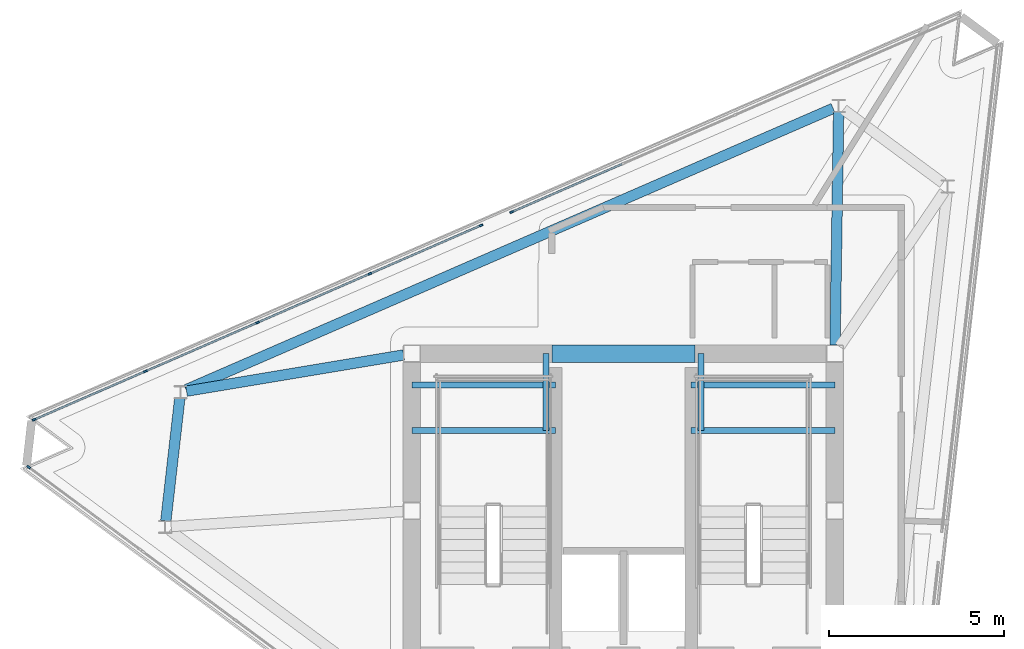
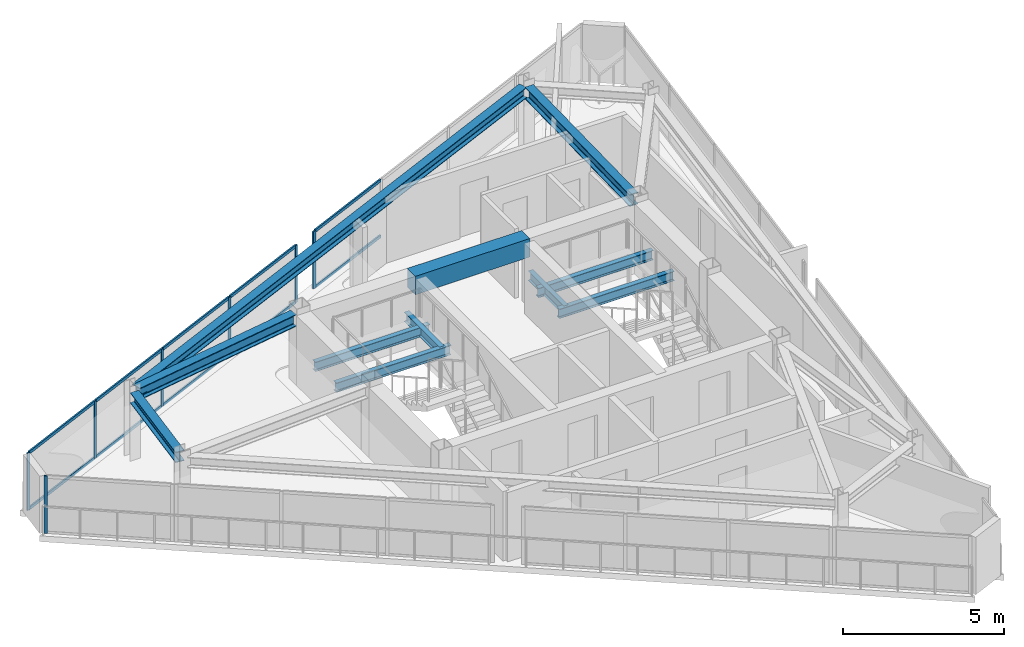
# One storey, part 4 of 10: 17 members, 11 beams, 3 elements without a shape of their own.
"""IFC4 building model written with IfcOpenShell, lengths in metres."""

import ifcopenshell
import ifcopenshell.guid

model = None  # the IFC model being written
_history = None  # IfcOwnerHistory: only IFC2X3 demands one
_inside = {}  # id of a spatial element -> (the spatial element, [elements in it])
_under = {}  # id of a project, library or spatial element -> (it, [spatial elements below it])
_declared = {}  # id of a project -> (the project, [libraries it declares])
_typed = {}  # id of a type object -> (the type object, [elements of that type])
_made_of = {}  # id of a material, layer set ... -> (it, [elements and type objects made of it])


def new_model(schema):
    """Start an empty IFC model of exactly this schema.

    Asked for "IFC4X3", IfcOpenShell would pick the latest addendum, in which some entities
    have other attributes; the version numbers below select the first issue.
    IFC2X3 requires an IfcOwnerHistory on every rooted entity: one is made here for all.
    """
    global model, _history
    if schema == "IFC4X3":
        model = ifcopenshell.file(schema_version=(4, 3, 0, 0))
    else:
        model = ifcopenshell.file(schema=schema)
    _inside.clear()
    _under.clear()
    _declared.clear()
    _typed.clear()
    _made_of.clear()
    _history = None
    if model.schema == "IFC2X3":
        org = make("IfcOrganization", Name="unknown")
        user = make(
            "IfcPersonAndOrganization",
            ThePerson=make("IfcPerson", FamilyName="unknown"),
            TheOrganization=org,
        )
        app = make(
            "IfcApplication",
            ApplicationDeveloper=org,
            Version="unknown",
            ApplicationFullName="unknown",
            ApplicationIdentifier="unknown",
        )
        _history = make(
            "IfcOwnerHistory",
            OwningUser=user,
            OwningApplication=app,
            ChangeAction="ADDED",
            CreationDate=0,
        )
    return model


def make(cls, **values):
    """One entity of the class cls with the attributes given. An attribute that is None is left unset."""
    return model.create_entity(
        cls, **{name: value for name, value in values.items() if value is not None}
    )


def rooted(cls, **values):
    """An entity with a GlobalId (a new one), such as an element, a storey or a relation."""
    return make(cls, GlobalId=ifcopenshell.guid.new(), OwnerHistory=_history, **values)


def si_unit(unit_type, name, prefix=None):
    """IfcSIUnit, for example si_unit("LENGTHUNIT", "METRE", prefix="MILLI")."""
    return make("IfcSIUnit", UnitType=unit_type, Prefix=prefix, Name=name)


def assignment(units):
    """IfcUnitAssignment: the units of a project."""
    return None if units is None else make("IfcUnitAssignment", Units=units)


def point(xyz):
    """IfcCartesianPoint."""
    return None if xyz is None else make("IfcCartesianPoint", Coordinates=xyz)


def direction(xyz):
    """IfcDirection."""
    return None if xyz is None else make("IfcDirection", DirectionRatios=xyz)


def frame(location, z_axis=None, x_axis=None):
    """IfcAxis2Placement3D, a coordinate frame: its origin and axes. An axis left out is left unset."""
    return make(
        "IfcAxis2Placement3D",
        Location=point(location),
        Axis=direction(z_axis),
        RefDirection=direction(x_axis),
    )


def frame_2d(location, x_axis=None):
    """IfcAxis2Placement2D, a coordinate frame in the plane: its origin and x axis."""
    return make(
        "IfcAxis2Placement2D", Location=point(location), RefDirection=direction(x_axis)
    )


def origin():
    """The frame at (0, 0, 0) with its axes left unset."""
    return frame((0.0, 0.0, 0.0))


def origin_2d():
    """The frame at (0, 0) in the plane with its x axis left unset."""
    return frame_2d((0.0, 0.0))


def place(relative_to, where):
    """IfcLocalPlacement: puts the frame where relative to a parent placement (None: the world)."""
    return make(
        "IfcLocalPlacement", PlacementRelTo=relative_to, RelativePlacement=where
    )


def context(
    kind, dimensions, precision=None, world=None, true_north=None, identifier=None
):
    """IfcGeometricRepresentationContext, for example the 3D "Model" context."""
    return make(
        "IfcGeometricRepresentationContext",
        ContextIdentifier=identifier,
        ContextType=kind,
        CoordinateSpaceDimension=dimensions,
        Precision=precision,
        WorldCoordinateSystem=world,
        TrueNorth=true_north,
    )


def subcontext(parent, identifier, kind, view, scale=None):
    """IfcGeometricRepresentationSubContext, for example "Body" below "Model"."""
    return make(
        "IfcGeometricRepresentationSubContext",
        ContextIdentifier=identifier,
        ContextType=kind,
        ParentContext=parent,
        TargetScale=scale,
        TargetView=view,
    )


def project(units=None, contexts=None):
    """IfcProject with its units and contexts."""
    return rooted(
        "IfcProject",
        Name="project",
        RepresentationContexts=contexts,
        UnitsInContext=assignment(units),
    )


def spatial(cls, under=None, at=None, **own):
    """A site, building, storey or space (cls), placed at a placement, below another one or the project."""
    s = rooted(cls, ObjectPlacement=at, **own)
    if under is not None:
        _under.setdefault(under.id(), (under, []))[1].append(s)
    return s


def profile(cls, at=None, kind="AREA", **sizes):
    """A parametric profile (cls). Its sizes go by their IFC names, for example OverallWidth=200.0."""
    return make(cls, ProfileType=kind, Position=at, **sizes)


def rectangle(**sizes):
    """IfcRectangleProfileDef."""
    return profile("IfcRectangleProfileDef", **sizes)


def i_section(**sizes):
    """IfcIShapeProfileDef."""
    return profile("IfcIShapeProfileDef", **sizes)


def extrude(swept, where, along, depth):
    """IfcExtrudedAreaSolid: the profile swept, set in the frame where, extruded along a direction by depth."""
    return make(
        "IfcExtrudedAreaSolid",
        SweptArea=swept,
        Position=where,
        ExtrudedDirection=direction(along),
        Depth=depth,
    )


def shape(context_of_items, identifier, shape_type, items):
    """IfcShapeRepresentation: the items that make up one representation, for example the "Body"."""
    return make(
        "IfcShapeRepresentation",
        ContextOfItems=context_of_items,
        RepresentationIdentifier=identifier,
        RepresentationType=shape_type,
        Items=items,
    )


def material(Name=None, Category=None):
    """IfcMaterial."""
    return make("IfcMaterial", Name=Name, Category=Category)


def layer(
    of_material, thickness, ventilated=None, Name=None, Category=None, Priority=None
):
    """IfcMaterialLayer: one layer of a wall or slab, of a material (None: an air gap)."""
    return make(
        "IfcMaterialLayer",
        Material=of_material,
        LayerThickness=thickness,
        IsVentilated=ventilated,
        Name=Name,
        Category=Category,
        Priority=Priority,
    )


def layer_set(layers, Name=None):
    """IfcMaterialLayerSet."""
    return make("IfcMaterialLayerSet", MaterialLayers=layers, LayerSetName=Name)


def material_profile(
    of_material, cross_section, Name=None, Category=None, Priority=None
):
    """IfcMaterialProfile: a cross section and its material."""
    return make(
        "IfcMaterialProfile",
        Name=Name,
        Material=of_material,
        Profile=cross_section,
        Priority=Priority,
        Category=Category,
    )


def profile_set(profiles, Name=None, composite=None):
    """IfcMaterialProfileSet."""
    return make(
        "IfcMaterialProfileSet",
        Name=Name,
        MaterialProfiles=profiles,
        CompositeProfile=composite,
    )


def made_of(thing, what):
    """Note that an element or type object is made of a material, layer set ...; save() writes the relation."""
    if what is not None:
        _made_of.setdefault(what.id(), (what, []))[1].append(thing)
    return thing


def type_object(cls, material=None, **own):
    """A type object (cls), such as IfcWallType, which elements share."""
    return made_of(rooted(cls, **own), material)


def element(
    cls,
    number,
    at=None,
    inside=None,
    cuts=None,
    type_object=None,
    material=None,
    context=None,
    identifier="Body",
    shape_type=None,
    held_by="IfcProductDefinitionShape",
    body=None,
    shapes=None,
    **own,
):
    """One element of the class cls, such as IfcWall. Its Tag is "e" and its number.

    at: its placement. inside: the storey or other place that contains it. cuts: it is an
    opening in that element (IfcRelVoidsElement). A single representation is given by context,
    identifier, shape_type and body (its items); several are given by shapes. held_by: the class
    of the entity that holds the representations. save() writes the other relations.
    """
    e = rooted(cls, Tag="e%d" % number, ObjectPlacement=at, **own)
    if body is not None:
        shapes = [shape(context, identifier, shape_type, body)]
    if shapes is not None:
        e.Representation = make(held_by, Representations=shapes)
    if inside is not None:
        _inside.setdefault(inside.id(), (inside, []))[1].append(e)
    if cuts is not None:
        rooted(
            "IfcRelVoidsElement", RelatingBuildingElement=cuts, RelatedOpeningElement=e
        )
    if type_object is not None:
        _typed.setdefault(type_object.id(), (type_object, []))[1].append(e)
    return made_of(e, material)


def aggregate(whole, parts):
    """IfcRelAggregates: a whole, such as a stair, and the parts it consists of."""
    return rooted("IfcRelAggregates", RelatingObject=whole, RelatedObjects=parts)


def save(model, path):
    """Write the relations noted so far, then the file.

    IfcRelAggregates (storeys below a building ...), IfcRelContainedInSpatialStructure (elements
    in a storey), IfcRelDefinesByType, IfcRelAssociatesMaterial and IfcRelDeclares: one each for
    every whole, place, type object, material and project.
    """
    for whole, parts in _under.values():
        aggregate(whole, parts)
    for where, things in _inside.values():
        rooted(
            "IfcRelContainedInSpatialStructure",
            RelatedElements=things,
            RelatingStructure=where,
        )
    for kind, things in _typed.values():
        rooted("IfcRelDefinesByType", RelatedObjects=things, RelatingType=kind)
    for what, things in _made_of.values():
        rooted("IfcRelAssociatesMaterial", RelatedObjects=things, RelatingMaterial=what)
    for by, libraries in _declared.values():
        rooted("IfcRelDeclares", RelatingContext=by, RelatedDefinitions=libraries)
    model.write(path)


model = new_model("IFC4")

# Units and contexts
model_context = context("Model", 3, precision=1e-05, world=origin(), true_north=direction((0.0, 1.0)))
body_context = subcontext(model_context, "Body", "Model", "MODEL_VIEW")
ifc_project = project(units=[si_unit("LENGTHUNIT", "METRE"), si_unit("AREAUNIT", "SQUARE_METRE"), si_unit("VOLUMEUNIT", "CUBIC_METRE"), si_unit("PLANEANGLEUNIT", "RADIAN"), si_unit("MASSUNIT", "GRAM", prefix="KILO")], contexts=[model_context])

# Site, building, storey
site_placement = place(None, origin())
site = spatial("IfcSite", under=ifc_project, at=site_placement, CompositionType="ELEMENT")
building_placement = place(site_placement, origin())
building = spatial("IfcBuilding", under=site, at=building_placement, Name="Rocaltana Carrier Exchange", CompositionType="ELEMENT")
storey_placement = place(building_placement, frame((0.0, 0.0, 252.0)))
storey = spatial("IfcBuildingStorey", under=building, at=storey_placement, Name="L80", CompositionType="ELEMENT", Elevation=252.0)

# Curtain wall, member
ifc_material_1 = material(Name="Aluminium 6063-T6", Category="aluminium")
ifc_layer = layer(ifc_material_1, 0.110107421875)
ifc_layer_set = layer_set([ifc_layer], Name="Aluminium 6063-T6")
curtain_wall_type = type_object("IfcCurtainWallType", Name="Crown Lantern Faceted Curtain Wall CW-06", PredefinedType="NOTDEFINED", material=ifc_layer_set)
curtain_wall_1_placement = place(storey_placement, origin())
curtain_wall_1 = element("IfcCurtainWall", 1, at=curtain_wall_1_placement, inside=storey, type_object=curtain_wall_type, Name="L80 CW-06 Run CW06-L80-F2S1", PredefinedType="NOTDEFINED")
ifc_material_2 = material(Name="Aluminium 6063-T6", Category="aluminium")
ifc_material_profile_1 = material_profile(ifc_material_2, rectangle(XDim=0.054931640625, YDim=0.110107421875, at=origin_2d()), Name="AL-55X110")
ifc_profile_set_1 = profile_set([ifc_material_profile_1], Name="Aluminium 6063-T6")
member_type_1 = type_object("IfcMemberType", Name="CW-06 Mullion AL-55X110", PredefinedType="MULLION", material=ifc_profile_set_1)
member_1_placement = place(storey_placement, frame((-3.19677734375, 8.5498046875, 0.0), z_axis=(0.0, 0.0, 1.0), x_axis=(0.398742304834, -0.917063015466, 0.0)))
member_1 = element("IfcMember", 2, at=member_1_placement, type_object=member_type_1, Name="CW-06 mullion 5", PredefinedType="MULLION", context=body_context, shape_type="SweptSolid", body=[
    extrude(rectangle(XDim=0.054931640625, YDim=0.110107421875, at=origin_2d()), origin(), (0.0, 0.0, 1.0), 2.16796875),
])

# Curtain wall, members
curtain_wall_2_placement = place(storey_placement, origin())
curtain_wall_2 = element("IfcCurtainWall", 3, at=curtain_wall_2_placement, inside=storey, type_object=curtain_wall_type, Name="L80 CW-06 Run CW06-L80-F2S2", PredefinedType="NOTDEFINED")
member_2_placement = place(storey_placement, frame((-4.072509765625, 8.1689453125, 0.0), z_axis=(0.0, 0.0, 1.0), x_axis=(0.398748311983, -0.917060403513, 0.0)))
member_2 = element("IfcMember", 4, at=member_2_placement, type_object=member_type_1, Name="CW-06 mullion 1", PredefinedType="MULLION", context=body_context, shape_type="SweptSolid", body=[
    extrude(rectangle(XDim=0.054931640625, YDim=0.110107421875, at=origin_2d()), origin(), (0.0, 0.0, 1.0), 2.16796875),
])
member_3_placement = place(storey_placement, frame((-7.257080078125, 6.7841796875, 0.0), z_axis=(0.0, 0.0, 1.0), x_axis=(0.398748311983, -0.917060403513, 0.0)))
member_3 = element("IfcMember", 5, at=member_3_placement, type_object=member_type_1, Name="CW-06 mullion 2", PredefinedType="MULLION", context=body_context, shape_type="SweptSolid", body=[
    extrude(rectangle(XDim=0.054931640625, YDim=0.110107421875, at=origin_2d()), origin(), (0.0, 0.0, 1.0), 2.16796875),
])
member_4_placement = place(storey_placement, frame((-10.466796875, 5.388671875, 0.0), z_axis=(0.0, 0.0, 1.0), x_axis=(0.398748311983, -0.917060403513, 0.0)))
member_4 = element("IfcMember", 6, at=member_4_placement, type_object=member_type_1, Name="CW-06 mullion 3", PredefinedType="MULLION", context=body_context, shape_type="SweptSolid", body=[
    extrude(rectangle(XDim=0.054931640625, YDim=0.110107421875, at=origin_2d()), origin(), (0.0, 0.0, 1.0), 2.16796875),
])
member_5_placement = place(storey_placement, frame((-13.676513671875, 3.992919921875, 0.0), z_axis=(0.0, 0.0, 1.0), x_axis=(0.398748311983, -0.917060403513, 0.0)))
member_5 = element("IfcMember", 7, at=member_5_placement, type_object=member_type_1, Name="CW-06 mullion 4", PredefinedType="MULLION", context=body_context, shape_type="SweptSolid", body=[
    extrude(rectangle(XDim=0.054931640625, YDim=0.110107421875, at=origin_2d()), origin(), (0.0, 0.0, 1.0), 2.16796875),
])
member_6_placement = place(storey_placement, frame((-16.861083984375, 2.6083984375, 0.0), z_axis=(0.0, 0.0, 1.0), x_axis=(0.398748311983, -0.917060403513, 0.0)))
member_6 = element("IfcMember", 8, at=member_6_placement, type_object=member_type_1, Name="CW-06 mullion 5", PredefinedType="MULLION", context=body_context, shape_type="SweptSolid", body=[
    extrude(rectangle(XDim=0.054931640625, YDim=0.110107421875, at=origin_2d()), origin(), (0.0, 0.0, 1.0), 2.16796875),
])

# Curtain wall, member
curtain_wall_3_placement = place(storey_placement, origin())
curtain_wall_3 = element("IfcCurtainWall", 9, at=curtain_wall_3_placement, inside=storey, type_object=curtain_wall_type, Name="L80 CW-06 Run CW06-L80-F3S1-S1", PredefinedType="NOTDEFINED")
member_7_placement = place(storey_placement, frame((-17.015625, 1.25146484375, 0.0), z_axis=(0.0, 0.0, 1.0), x_axis=(0.594839462452, 0.80384452098, 0.0)))
member_7 = element("IfcMember", 10, at=member_7_placement, type_object=member_type_1, Name="CW-06 mullion 1", PredefinedType="MULLION", context=body_context, shape_type="SweptSolid", body=[
    extrude(rectangle(XDim=0.054931640625, YDim=0.110107421875, at=origin_2d()), origin(), (0.0, 0.0, 1.0), 2.16796875),
])
aggregate(curtain_wall_3, [member_7])

# Member
ifc_material_3 = material(Name="Aluminium 6063-T6", Category="aluminium")
ifc_material_profile_2 = material_profile(ifc_material_3, rectangle(XDim=0.054931640625, YDim=0.110107421875, at=origin_2d()), Name="AL-55X110")
ifc_profile_set_2 = profile_set([ifc_material_profile_2], Name="Aluminium 6063-T6")
member_type_2 = type_object("IfcMemberType", Name="CW-06 Transom AL-55X110", PredefinedType="USERDEFINED", material=ifc_profile_set_2)
member_8_placement = place(storey_placement, frame((-0.03759765625, 9.92333984375, 0.027587890625), z_axis=(-0.917078006492, -0.398707825367, 0.0), x_axis=(0.398707825367, -0.917078006492, 0.0)))
member_8 = element("IfcMember", 11, at=member_8_placement, type_object=member_type_2, Name="CW-06 transom 4.1", ObjectType="TRANSOM", PredefinedType="USERDEFINED", context=body_context, shape_type="SweptSolid", body=[
    extrude(rectangle(XDim=0.054931640625, YDim=0.110107421875, at=origin_2d()), origin(), (0.0, 0.0, 1.0), 3.41748046875),
])

member_9_placement = place(storey_placement, frame((-0.03759765625, 9.92333984375, 2.140380859375), z_axis=(-0.917078006492, -0.398707825367, 0.0), x_axis=(0.398707825367, -0.917078006492, 0.0)))
member_9 = element("IfcMember", 12, at=member_9_placement, type_object=member_type_2, Name="CW-06 transom 4.2", ObjectType="TRANSOM", PredefinedType="USERDEFINED", context=body_context, shape_type="SweptSolid", body=[
    extrude(rectangle(XDim=0.054931640625, YDim=0.110107421875, at=origin_2d()), origin(), (0.0, 0.0, 1.0), 3.41748046875),
])

aggregate(curtain_wall_1, [member_1, member_8, member_9])

member_10_placement = place(storey_placement, frame((-4.097900390625, 8.157958984375, 0.027587890625), z_axis=(-0.917051883427, -0.398767906309, 0.0), x_axis=(0.398767906309, -0.917051883427, 0.0)))
member_10 = element("IfcMember", 13, at=member_10_placement, type_object=member_type_2, Name="CW-06 transom 1.1", ObjectType="TRANSOM", PredefinedType="USERDEFINED", context=body_context, shape_type="SweptSolid", body=[
    extrude(rectangle(XDim=0.054931640625, YDim=0.110107421875, at=origin_2d()), origin(), (0.0, 0.0, 1.0), 3.41748046875),
])

member_11_placement = place(storey_placement, frame((-4.097900390625, 8.157958984375, 2.140380859375), z_axis=(-0.917051883427, -0.398767906309, 0.0), x_axis=(0.398767906309, -0.917051883427, 0.0)))
member_11 = element("IfcMember", 14, at=member_11_placement, type_object=member_type_2, Name="CW-06 transom 1.2", ObjectType="TRANSOM", PredefinedType="USERDEFINED", context=body_context, shape_type="SweptSolid", body=[
    extrude(rectangle(XDim=0.054931640625, YDim=0.110107421875, at=origin_2d()), origin(), (0.0, 0.0, 1.0), 3.41748046875),
])

member_12_placement = place(storey_placement, frame((-7.2822265625, 6.773193359375, 0.027587890625), z_axis=(-0.91708357557, -0.398695015544, 0.0), x_axis=(0.398695015544, -0.91708357557, 0.0)))
member_12 = element("IfcMember", 15, at=member_12_placement, type_object=member_type_2, Name="CW-06 transom 2.1", ObjectType="TRANSOM", PredefinedType="USERDEFINED", context=body_context, shape_type="SweptSolid", body=[
    extrude(rectangle(XDim=0.054931640625, YDim=0.110107421875, at=origin_2d()), origin(), (0.0, 0.0, 1.0), 3.445068359375),
])

member_13_placement = place(storey_placement, frame((-7.2822265625, 6.773193359375, 2.140380859375), z_axis=(-0.91708357557, -0.398695015544, 0.0), x_axis=(0.398695015544, -0.91708357557, 0.0)))
member_13 = element("IfcMember", 16, at=member_13_placement, type_object=member_type_2, Name="CW-06 transom 2.2", ObjectType="TRANSOM", PredefinedType="USERDEFINED", context=body_context, shape_type="SweptSolid", body=[
    extrude(rectangle(XDim=0.054931640625, YDim=0.110107421875, at=origin_2d()), origin(), (0.0, 0.0, 1.0), 3.445068359375),
])

member_14_placement = place(storey_placement, frame((-10.4921875, 5.377685546875, 0.027587890625), z_axis=(-0.917046394043, -0.398780530083, 0.0), x_axis=(0.398780530083, -0.917046394043, 0.0)))
member_14 = element("IfcMember", 17, at=member_14_placement, type_object=member_type_2, Name="CW-06 transom 3.1", ObjectType="TRANSOM", PredefinedType="USERDEFINED", context=body_context, shape_type="SweptSolid", body=[
    extrude(rectangle(XDim=0.054931640625, YDim=0.110107421875, at=origin_2d()), origin(), (0.0, 0.0, 1.0), 3.445068359375),
])

member_15_placement = place(storey_placement, frame((-10.4921875, 5.377685546875, 2.140380859375), z_axis=(-0.917046394043, -0.398780530083, 0.0), x_axis=(0.398780530083, -0.917046394043, 0.0)))
member_15 = element("IfcMember", 18, at=member_15_placement, type_object=member_type_2, Name="CW-06 transom 3.2", ObjectType="TRANSOM", PredefinedType="USERDEFINED", context=body_context, shape_type="SweptSolid", body=[
    extrude(rectangle(XDim=0.054931640625, YDim=0.110107421875, at=origin_2d()), origin(), (0.0, 0.0, 1.0), 3.445068359375),
])

member_16_placement = place(storey_placement, frame((-13.701904296875, 3.982177734375, 0.027587890625), z_axis=(-0.917051883427, -0.398767906309, 0.0), x_axis=(0.398767906309, -0.917051883427, 0.0)))
member_16 = element("IfcMember", 19, at=member_16_placement, type_object=member_type_2, Name="CW-06 transom 4.1", ObjectType="TRANSOM", PredefinedType="USERDEFINED", context=body_context, shape_type="SweptSolid", body=[
    extrude(rectangle(XDim=0.054931640625, YDim=0.110107421875, at=origin_2d()), origin(), (0.0, 0.0, 1.0), 3.41748046875),
])

member_17_placement = place(storey_placement, frame((-13.701904296875, 3.982177734375, 2.140380859375), z_axis=(-0.917051883427, -0.398767906309, 0.0), x_axis=(0.398767906309, -0.917051883427, 0.0)))
member_17 = element("IfcMember", 20, at=member_17_placement, type_object=member_type_2, Name="CW-06 transom 4.2", ObjectType="TRANSOM", PredefinedType="USERDEFINED", context=body_context, shape_type="SweptSolid", body=[
    extrude(rectangle(XDim=0.054931640625, YDim=0.110107421875, at=origin_2d()), origin(), (0.0, 0.0, 1.0), 3.41748046875),
])

aggregate(curtain_wall_2, [member_2, member_3, member_4, member_5, member_6, member_10, member_11, member_12, member_13, member_14, member_15, member_16, member_17])

# Beams
ifc_material_4 = material(Name="Concrete C60/75", Category="concrete")
ifc_material_profile_3 = material_profile(ifc_material_4, rectangle(XDim=0.5, YDim=0.699951171875, at=origin_2d()), Name="RC-BM-500X700")
ifc_profile_set_3 = profile_set([ifc_material_profile_3], Name="Concrete C60/75")
beam_type_1 = type_object("IfcBeamType", Name="Core Coupling Lintel 500x700", PredefinedType="LINTEL", material=ifc_profile_set_3)
beam_1_placement = place(storey_placement, frame((-2.050048828125, 4.5, 2.298095703125), z_axis=(1.0, 0.0, 0.0), x_axis=(0.0, 1.0, 0.0)))
element("IfcBeam", 21, at=beam_1_placement, inside=storey, type_object=beam_type_1, Name="L80 Core Coupling Lintel CL-N", PredefinedType="LINTEL", context=body_context, shape_type="SweptSolid", body=[
    extrude(rectangle(XDim=0.5, YDim=0.699951171875, at=origin_2d()), origin(), (0.0, 0.0, 1.0), 4.10009765625),
])
ifc_material_5 = material(Name="Steel S460", Category="steel")
ifc_material_profile_4 = material_profile(ifc_material_5, i_section(OverallWidth=0.300048828125, OverallDepth=0.449951171875, WebThickness=0.013916015625, FlangeThickness=0.02587890625, FilletRadius=0.027099609375, at=origin_2d()), Name="HEB450")
ifc_profile_set_4 = profile_set([ifc_material_profile_4], Name="Steel S460")
beam_type_2 = type_object("IfcBeamType", Name="Crown Frame Rafter HEB450", PredefinedType="BEAM", material=ifc_profile_set_4)
beam_2_placement = place(storey_placement, frame((6.0537109375, 4.741943359375, 2.423095703125), z_axis=(0.015446977979, 0.999880688318, 0.0), x_axis=(-0.999880688318, 0.015446977979, 0.0)))
element("IfcBeam", 22, at=beam_2_placement, inside=storey, type_object=beam_type_2, Name="CRG-RAD-L80-03", PredefinedType="BEAM", context=body_context, shape_type="SweptSolid", body=[
    extrude(i_section(OverallWidth=0.300048828125, OverallDepth=0.449951171875, WebThickness=0.013916015625, FlangeThickness=0.02587890625, FilletRadius=0.027099609375, at=origin_2d()), origin(), (0.0, 0.0, 1.0), 6.669677734375),
])
beam_3_placement = place(storey_placement, frame((-6.288818359375, 4.460205078125, 2.423095703125), z_axis=(-0.986396018954, -0.164386416079, 0.0), x_axis=(0.164386416079, -0.986396018954, 0.0)))
element("IfcBeam", 23, at=beam_3_placement, inside=storey, type_object=beam_type_2, Name="CRG-RAD-L80-04", PredefinedType="BEAM", context=body_context, shape_type="SweptSolid", body=[
    extrude(i_section(OverallWidth=0.300048828125, OverallDepth=0.449951171875, WebThickness=0.013916015625, FlangeThickness=0.02587890625, FilletRadius=0.027099609375, at=origin_2d()), origin(), (0.0, 0.0, 1.0), 6.298583984375),
])
ifc_material_6 = material(Name="Steel S460", Category="steel")
ifc_material_profile_5 = material_profile(ifc_material_6, i_section(OverallWidth=0.300048828125, OverallDepth=0.39990234375, WebThickness=0.013427734375, FlangeThickness=0.02392578125, FilletRadius=0.027099609375, at=origin_2d()), Name="HEB400")
ifc_profile_set_5 = profile_set([ifc_material_profile_5], Name="Steel S460")
beam_type_3 = type_object("IfcBeamType", Name="Crown Ring Beam HEB400", PredefinedType="BEAM", material=ifc_profile_set_5)
beam_4_placement = place(storey_placement, frame((5.999755859375, 11.515380859375, 2.447998046875), z_axis=(-0.917063134641, -0.398742030744, 0.0), x_axis=(0.398742030744, -0.917063134641, 0.0)))
element("IfcBeam", 24, at=beam_4_placement, inside=storey, type_object=beam_type_3, Name="CRG-RING-L80-03", PredefinedType="BEAM", context=body_context, shape_type="SweptSolid", body=[
    extrude(i_section(OverallWidth=0.300048828125, OverallDepth=0.39990234375, WebThickness=0.013427734375, FlangeThickness=0.02392578125, FilletRadius=0.027099609375, at=origin_2d()), origin(), (0.0, 0.0, 1.0), 20.18798828125),
])
beam_5_placement = place(storey_placement, frame((-12.693115234375, 3.223388671875, 2.447998046875), z_axis=(-0.11317028036, -0.993575607412, 0.0), x_axis=(0.993575607412, -0.11317028036, 0.0)))
element("IfcBeam", 25, at=beam_5_placement, inside=storey, type_object=beam_type_3, Name="CRG-RING-L80-04", PredefinedType="BEAM", context=body_context, shape_type="SweptSolid", body=[
    extrude(i_section(OverallWidth=0.300048828125, OverallDepth=0.39990234375, WebThickness=0.013427734375, FlangeThickness=0.02392578125, FilletRadius=0.027099609375, at=origin_2d()), origin(), (0.0, 0.0, 1.0), 3.531494140625),
])
ifc_material_7 = material(Name="Steel S355", Category="steel")
ifc_material_profile_6 = material_profile(ifc_material_7, i_section(OverallWidth=0.172119140625, OverallDepth=0.35791015625, WebThickness=0.0078125, FlangeThickness=0.01318359375, FilletRadius=0.011962890625, at=origin_2d()), Name="W14X38")
ifc_profile_set_6 = profile_set([ifc_material_profile_6], Name="Steel S355")
beam_type_4 = type_object("IfcBeamType", Name="Floor Joist W14X38", PredefinedType="JOIST", material=ifc_profile_set_6)
for number, where, z_axis, x_axis, name in (
    (26, (-6.050048828125, 2.300048828125, 1.06103515625), (1.0, 0.0, 0.0), (0.0, 1.0, 0.0), "L80 ST-1 Landing Carrier 1"),
    (27, (1.93994140625, 2.300048828125, 1.06103515625), (1.0, 0.0, 0.0), (0.0, 1.0, 0.0), "L80 ST-2 Landing Carrier 1"),
    (28, (-6.050048828125, 3.60009765625, 1.06103515625), (1.0, 0.0, 0.0), (0.0, 1.0, 0.0), "L80 ST-1 Landing Carrier 2"),
    (29, (1.93994140625, 3.60009765625, 1.06103515625), (1.0, 0.0, 0.0), (0.0, 1.0, 0.0), "L80 ST-2 Landing Carrier 2"),
):
    element("IfcBeam", number, at=place(storey_placement, frame(where, z_axis=z_axis, x_axis=x_axis)), inside=storey, type_object=beam_type_4, Name=name, PredefinedType="JOIST", context=body_context, shape_type="SweptSolid", body=[
        extrude(i_section(OverallWidth=0.172119140625, OverallDepth=0.35791015625, WebThickness=0.0078125, FlangeThickness=0.01318359375, FilletRadius=0.011962890625, at=origin_2d()), origin(), (0.0, 0.0, 1.0), 4.110107421875),
    ])
for number, where, z_axis, x_axis, name in (
    (30, (-2.219970703125, 2.300048828125, 1.06103515625), (0.0, 1.0, 0.0), (-1.0, 0.0, 0.0), "L80 ST-1 Landing Cross Trimmer"),
    (31, (2.219970703125, 2.300048828125, 1.06103515625), (0.0, 1.0, 0.0), (-1.0, 0.0, 0.0), "L80 ST-2 Landing Cross Trimmer"),
):
    element("IfcBeam", number, at=place(storey_placement, frame(where, z_axis=z_axis, x_axis=x_axis)), inside=storey, type_object=beam_type_4, Name=name, PredefinedType="JOIST", context=body_context, shape_type="SweptSolid", body=[
        extrude(i_section(OverallWidth=0.172119140625, OverallDepth=0.35791015625, WebThickness=0.0078125, FlangeThickness=0.01318359375, FilletRadius=0.011962890625, at=origin_2d()), origin(), (0.0, 0.0, 1.0), 2.199951171875),
    ])

save(model, "model.ifc")
